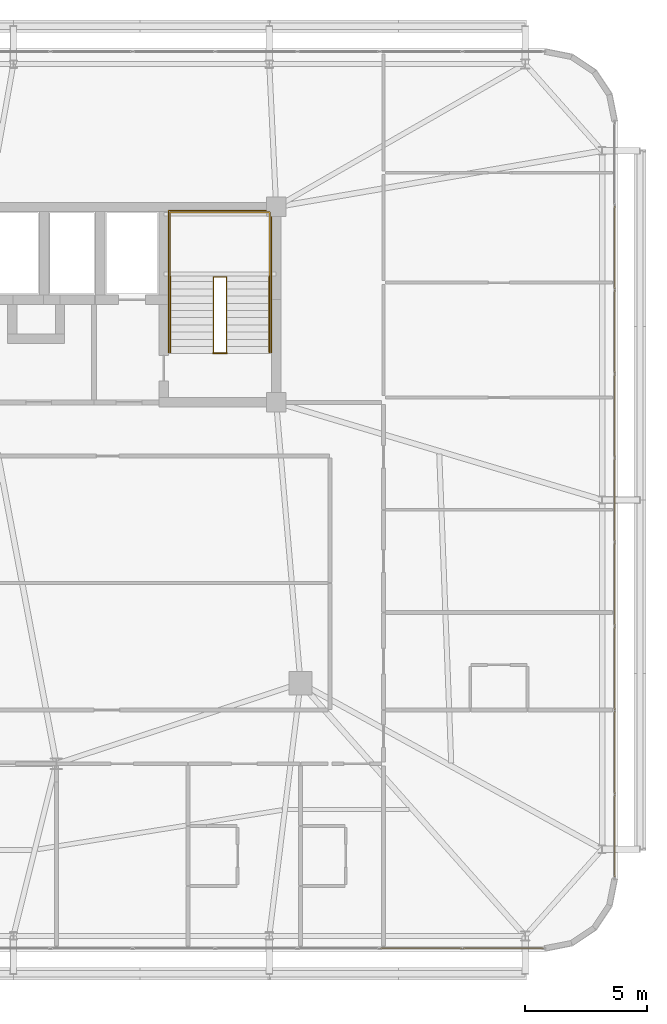
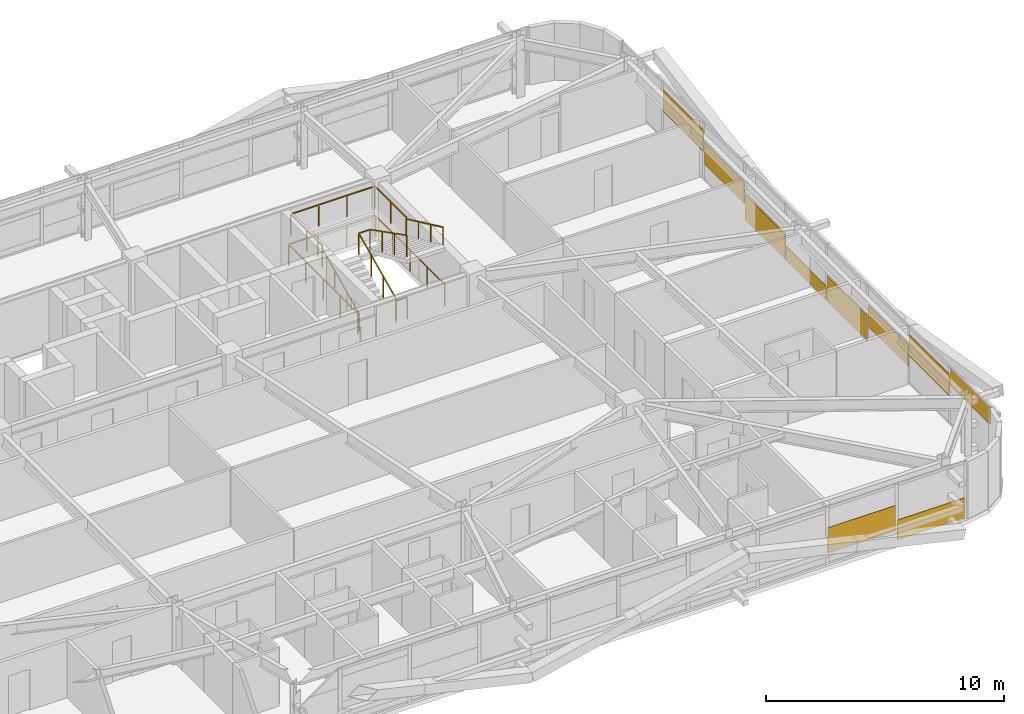
# One storey, part 58 of 59: 10 coverings, 6 railings.
"""IFC4 building model written with IfcOpenShell, lengths in metres."""

from ifc_helpers import new_model, si_unit, direction, frame, origin, origin_2d, place, context, subcontext, project, spatial, rectangle, extrude, source, transform, mapped, material, layer, layer_set, type_object, element, save


model = new_model("IFC4")

# Units and contexts
model_context = context("Model", 3, precision=1e-05, world=origin(), true_north=direction((0.0, 1.0)))
body_context = subcontext(model_context, "Body", "Model", "MODEL_VIEW")
ifc_project = project(units=[si_unit("LENGTHUNIT", "METRE"), si_unit("AREAUNIT", "SQUARE_METRE"), si_unit("VOLUMEUNIT", "CUBIC_METRE"), si_unit("PLANEANGLEUNIT", "RADIAN"), si_unit("MASSUNIT", "GRAM", prefix="KILO")], contexts=[model_context])

# Site, building, storey
site_placement = place(None, origin())
site = spatial("IfcSite", under=ifc_project, at=site_placement, CompositionType="ELEMENT")
building_placement = place(site_placement, origin())
building = spatial("IfcBuilding", under=site, at=building_placement, Name="Taldren Reach Tower", CompositionType="ELEMENT")
storey_placement = place(building_placement, frame((0.0, 0.0, 19.949951171875)))
storey = spatial("IfcBuildingStorey", under=building, at=storey_placement, Name="L05", CompositionType="ELEMENT", Elevation=19.949951171875)

# Railings
ifc_material_1 = material(Name="Steel Gr 350 (C350L0)", Category="steel")
ifc_layer_1 = layer(ifc_material_1, 0.050048828125)
ifc_layer_set_1 = layer_set([ifc_layer_1], Name="Steel Gr 350 (C350L0)")
railing_type_1 = type_object("IfcRailingType", Name="RL-STAIR-GR", PredefinedType="GUARDRAIL", material=ifc_layer_set_1)
railing_1_placement = place(storey_placement, frame((46.659912109375, 29.135009765625, 1.574951171875)))
element("IfcRailing", 1, at=railing_1_placement, inside=storey, type_object=railing_type_1, Name="Stair half-landing perimeter guard ST2-L05", PredefinedType="GUARDRAIL", context=body_context, shape_type="SweptSolid", body=[
    extrude(rectangle(XDim=0.047852, YDim=0.047852, at=origin_2d()), frame((0.0, 0.0, 1.09619140625), z_axis=(0.0, 1.0, 0.0), x_axis=(-1.0, 0.0, 0.0)), (0.0, 0.0, 1.0), 2.64501953125),
    extrude(rectangle(XDim=0.047852, YDim=0.047852, at=origin_2d()), frame((0.0, 2.64501953125, 1.09619140625), z_axis=(1.0, 0.0, 0.0), x_axis=(0.0, 1.0, 0.0)), (0.0, 0.0, 1.0), 4.080078125),
    extrude(rectangle(XDim=0.047852, YDim=0.047852, at=origin_2d()), frame((4.080078125, 2.64501953125, 1.09619140625), z_axis=(0.0, -1.0, 0.0), x_axis=(1.0, 0.0, 0.0)), (0.0, 0.0, 1.0), 2.64501953125),
    extrude(rectangle(XDim=0.041992, YDim=0.041992, at=origin_2d()), origin(), (0.0, 0.0, 1.0), 1.072021484375),
    extrude(rectangle(XDim=0.041992, YDim=0.041992, at=origin_2d()), frame((0.0, 1.322509765625, 0.0)), (0.0, 0.0, 1.0), 1.072021484375),
    extrude(rectangle(XDim=0.041992, YDim=0.041992, at=origin_2d()), frame((0.0, 2.64501953125, 0.0)), (0.0, 0.0, 1.0), 1.072021484375),
    extrude(rectangle(XDim=0.041992, YDim=0.041992, at=origin_2d()), frame((1.360107421875, 2.64501953125, 0.0)), (0.0, 0.0, 1.0), 1.072021484375),
    extrude(rectangle(XDim=0.041992, YDim=0.041992, at=origin_2d()), frame((2.719970703125, 2.64501953125, 0.0)), (0.0, 0.0, 1.0), 1.072021484375),
    extrude(rectangle(XDim=0.041992, YDim=0.041992, at=origin_2d()), frame((4.080078125, 2.64501953125, 0.0)), (0.0, 0.0, 1.0), 1.072021484375),
    extrude(rectangle(XDim=0.041992, YDim=0.041992, at=origin_2d()), frame((4.080078125, 1.322509765625, 0.0)), (0.0, 0.0, 1.0), 1.072021484375),
    extrude(rectangle(XDim=0.041992, YDim=0.041992, at=origin_2d()), frame((4.080078125, 0.0, 0.0)), (0.0, 0.0, 1.0), 1.072021484375),
])
railing_2_placement = place(storey_placement, frame((48.429931640625, 26.050048828125, 0.13134765625)))
element("IfcRailing", 2, at=railing_2_placement, inside=storey, type_object=railing_type_1, Name="Stairwell inner guard ST2-L05", PredefinedType="GUARDRAIL", context=body_context, shape_type="SweptSolid", body=[
    extrude(rectangle(XDim=0.047852, YDim=0.047852, at=origin_2d()), frame((0.0, 0.0, 1.09619140625), z_axis=(0.0, 0.905737652094, 0.423838773095), x_axis=(-1.0, 0.0, 0.0)), (0.0, 0.0, 1.0), 3.406005859375),
    extrude(rectangle(XDim=0.047852, YDim=0.047852, at=origin_2d()), frame((0.0, 3.0849609375, 2.53955078125), z_axis=(1.0, 0.0, 0.0), x_axis=(0.0, 1.0, 0.0)), (0.0, 0.0, 1.0), 0.5400390625),
    extrude(rectangle(XDim=0.047852, YDim=0.047852, at=origin_2d()), frame((0.5400390625, 3.0849609375, 2.53955078125), z_axis=(0.0, -0.890617412389, 0.454753366946), x_axis=(1.0, 0.0, 0.0)), (0.0, 0.0, 1.0), 3.4638671875),
    extrude(rectangle(XDim=0.041992, YDim=0.041992, at=origin_2d()), origin(), (0.0, 0.0, 1.0), 1.072021484375),
    extrude(rectangle(XDim=0.041992, YDim=0.041992, at=origin_2d()), frame((0.0, 1.0283203125, 0.481201171875)), (0.0, 0.0, 1.0), 1.072021484375),
    extrude(rectangle(XDim=0.041992, YDim=0.041992, at=origin_2d()), frame((0.0, 2.056640625, 0.96240234375)), (0.0, 0.0, 1.0), 1.072021484375),
    extrude(rectangle(XDim=0.041992, YDim=0.041992, at=origin_2d()), frame((0.0, 3.0849609375, 1.443603515625)), (0.0, 0.0, 1.0), 1.072021484375),
    extrude(rectangle(XDim=0.041992, YDim=0.041992, at=origin_2d()), frame((0.5400390625, 3.0849609375, 1.443603515625)), (0.0, 0.0, 1.0), 1.072021484375),
    extrude(rectangle(XDim=0.041992, YDim=0.041992, at=origin_2d()), frame((0.5400390625, 2.056640625, 1.96875)), (0.0, 0.0, 1.0), 1.072021484375),
    extrude(rectangle(XDim=0.041992, YDim=0.041992, at=origin_2d()), frame((0.5400390625, 1.0283203125, 2.49365234375)), (0.0, 0.0, 1.0), 1.072021484375),
    extrude(rectangle(XDim=0.041992, YDim=0.041992, at=origin_2d()), frame((0.5400390625, 0.0, 3.018798828125)), (0.0, 0.0, 1.0), 1.072021484375),
])
railing_3_placement = place(storey_placement, frame((48.429931640625, 26.010009765625, 0.0)))
element("IfcRailing", 3, at=railing_3_placement, inside=storey, type_object=railing_type_1, Name="Stairwell landing slot guard ST2-L05", PredefinedType="GUARDRAIL", context=body_context, shape_type="SweptSolid", body=[
    extrude(rectangle(XDim=0.047852, YDim=0.047852, at=origin_2d()), frame((0.0, 0.0, 1.09619140625), z_axis=(1.0, 0.0, 0.0), x_axis=(0.0, 1.0, 0.0)), (0.0, 0.0, 1.0), 0.5400390625),
    extrude(rectangle(XDim=0.041992, YDim=0.041992, at=origin_2d()), origin(), (0.0, 0.0, 1.0), 1.072021484375),
    extrude(rectangle(XDim=0.041992, YDim=0.041992, at=origin_2d()), frame((0.5400390625, 0.0, 0.0)), (0.0, 0.0, 1.0), 1.072021484375),
])
railing_4_placement = place(storey_placement, frame((46.590087890625, 26.050048828125, 0.0)))
element("IfcRailing", 4, at=railing_4_placement, inside=storey, type_object=railing_type_1, Name="Stairwell floor opening guard ST2-L05", PredefinedType="GUARDRAIL", context=body_context, shape_type="SweptSolid", body=[
    extrude(rectangle(XDim=0.047852, YDim=0.047852, at=origin_2d()), frame((0.0, 0.0, 1.09619140625), z_axis=(0.0, 1.0, 0.0), x_axis=(-1.0, 0.0, 0.0)), (0.0, 0.0, 1.0), 5.800048828125),
    extrude(rectangle(XDim=0.047852, YDim=0.047852, at=origin_2d()), frame((0.0, 5.800048828125, 1.09619140625), z_axis=(1.0, 0.0, 0.0), x_axis=(0.0, 1.0, 0.0)), (0.0, 0.0, 1.0), 4.219970703125),
    extrude(rectangle(XDim=0.047852, YDim=0.047852, at=origin_2d()), frame((4.219970703125, 5.800048828125, 1.09619140625), z_axis=(0.0, -1.0, 0.0), x_axis=(1.0, 0.0, 0.0)), (0.0, 0.0, 1.0), 5.800048828125),
    extrude(rectangle(XDim=0.041992, YDim=0.041992, at=origin_2d()), origin(), (0.0, 0.0, 1.0), 1.072021484375),
    extrude(rectangle(XDim=0.041992, YDim=0.041992, at=origin_2d()), frame((0.0, 1.449951171875, 0.0)), (0.0, 0.0, 1.0), 1.072021484375),
    extrude(rectangle(XDim=0.041992, YDim=0.041992, at=origin_2d()), frame((0.0, 2.89990234375, 0.0)), (0.0, 0.0, 1.0), 1.072021484375),
    extrude(rectangle(XDim=0.041992, YDim=0.041992, at=origin_2d()), frame((0.0, 4.35009765625, 0.0)), (0.0, 0.0, 1.0), 1.072021484375),
    extrude(rectangle(XDim=0.041992, YDim=0.041992, at=origin_2d()), frame((0.0, 5.800048828125, 0.0)), (0.0, 0.0, 1.0), 1.072021484375),
    extrude(rectangle(XDim=0.041992, YDim=0.041992, at=origin_2d()), frame((1.40673828125, 5.800048828125, 0.0)), (0.0, 0.0, 1.0), 1.072021484375),
    extrude(rectangle(XDim=0.041992, YDim=0.041992, at=origin_2d()), frame((2.813232421875, 5.800048828125, 0.0)), (0.0, 0.0, 1.0), 1.072021484375),
    extrude(rectangle(XDim=0.041992, YDim=0.041992, at=origin_2d()), frame((4.219970703125, 5.800048828125, 0.0)), (0.0, 0.0, 1.0), 1.072021484375),
    extrude(rectangle(XDim=0.041992, YDim=0.041992, at=origin_2d()), frame((4.219970703125, 4.35009765625, 0.0)), (0.0, 0.0, 1.0), 1.072021484375),
    extrude(rectangle(XDim=0.041992, YDim=0.041992, at=origin_2d()), frame((4.219970703125, 2.89990234375, 0.0)), (0.0, 0.0, 1.0), 1.072021484375),
    extrude(rectangle(XDim=0.041992, YDim=0.041992, at=origin_2d()), frame((4.219970703125, 1.449951171875, 0.0)), (0.0, 0.0, 1.0), 1.072021484375),
    extrude(rectangle(XDim=0.041992, YDim=0.041992, at=origin_2d()), frame((4.219970703125, 0.0, 0.0)), (0.0, 0.0, 1.0), 1.072021484375),
])
ifc_material_2 = material(Name="Stainless Steel Gr 316", Category="steel")
ifc_layer_2 = layer(ifc_material_2, 0.048095703125)
ifc_layer_set_2 = layer_set([ifc_layer_2], Name="Stainless Steel Gr 316")
railing_type_2 = type_object("IfcRailingType", Name="RL-STAIR-HR", PredefinedType="HANDRAIL", material=ifc_layer_set_2)
railing_5_placement = place(storey_placement, frame((46.669921875, 26.050048828125, 0.13134765625)))
element("IfcRailing", 5, at=railing_5_placement, inside=storey, type_object=railing_type_2, Name="Stair flight handrail ST2-L05-1", PredefinedType="HANDRAIL", context=body_context, shape_type="SweptSolid", body=[
    extrude(rectangle(XDim=0.047852, YDim=0.047852, at=origin_2d()), frame((0.0, 0.0, 0.89599609375), z_axis=(0.0, 0.905737652094, 0.423838773095), x_axis=(-1.0, 0.0, 0.0)), (0.0, 0.0, 1.0), 3.406005859375),
    extrude(rectangle(XDim=0.041992, YDim=0.041992, at=origin_2d()), origin(), (0.0, 0.0, 1.0), 0.871826171875),
    extrude(rectangle(XDim=0.041992, YDim=0.041992, at=origin_2d()), frame((0.0, 1.0283203125, 0.481201171875)), (0.0, 0.0, 1.0), 0.871826171875),
    extrude(rectangle(XDim=0.041992, YDim=0.041992, at=origin_2d()), frame((0.0, 2.056640625, 0.96240234375)), (0.0, 0.0, 1.0), 0.871826171875),
    extrude(rectangle(XDim=0.041992, YDim=0.041992, at=origin_2d()), frame((0.0, 3.0849609375, 1.443603515625)), (0.0, 0.0, 1.0), 0.871826171875),
])
railing_6_placement = place(storey_placement, frame((50.72998046875, 29.135009765625, 1.706298828125)))
element("IfcRailing", 6, at=railing_6_placement, inside=storey, type_object=railing_type_2, Name="Stair flight handrail ST2-L05-2", PredefinedType="HANDRAIL", context=body_context, shape_type="SweptSolid", body=[
    extrude(rectangle(XDim=0.047852, YDim=0.047852, at=origin_2d()), frame((0.0, 0.0, 0.89599609375), z_axis=(0.0, -0.905710134349, 0.423897573167), x_axis=(1.0, 0.0, 0.0)), (0.0, 0.0, 1.0), 3.406005859375),
    extrude(rectangle(XDim=0.041992, YDim=0.041992, at=origin_2d()), origin(), (0.0, 0.0, 1.0), 0.871826171875),
    extrude(rectangle(XDim=0.041992, YDim=0.041992, at=origin_2d()), frame((0.0, -1.0283203125, 0.481201171875)), (0.0, 0.0, 1.0), 0.871826171875),
    extrude(rectangle(XDim=0.041992, YDim=0.041992, at=origin_2d()), frame((0.0, -2.056640625, 0.962646484375)), (0.0, 0.0, 1.0), 0.871826171875),
    extrude(rectangle(XDim=0.041992, YDim=0.041992, at=origin_2d()), frame((0.0, -3.0849609375, 1.44384765625)), (0.0, 0.0, 1.0), 0.871826171875),
])

# Coverings
ifc_material_3 = material(Name="Pale Champagne Fluoropolymer Aluminium Spandrel Cladding", Category="aluminium")
ifc_layer_3 = layer(ifc_material_3, 0.0439453125)
ifc_layer_set_3 = layer_set([ifc_layer_3], Name="Pale Champagne Fluoropolymer Aluminium Spandrel Cladding")
covering_type = type_object("IfcCoveringType", Name="CV-CLAD-044", PredefinedType="CLADDING", material=ifc_layer_set_3)
shared_shape_1 = source(origin(), body_context, "Body", "SweptSolid", [
    extrude(rectangle(XDim=3.31005859375, YDim=0.0439453125, at=origin_2d()), origin(), (0.0, 0.0, 1.0), 1.301025390625),
])
covering_1_placement = place(storey_placement, frame((56.9375, 1.639892578125, 0.55810546875), z_axis=(0.0, 0.0, 1.0), x_axis=(1.0, 0.0, 0.0)))
element("IfcCovering", 7, at=covering_1_placement, inside=storey, type_object=covering_type, Name="Diagrid closure cladding strip CW-2 panel 15.1 1", PredefinedType="CLADDING", context=body_context, shape_type="MappedRepresentation", body=[
    mapped(shared_shape_1, transform((0.0, 0.0, 0.0), scale=1.0)),
])
shared_shape_2 = source(origin(), body_context, "Body", "SweptSolid", [
    extrude(rectangle(XDim=3.277587890625, YDim=0.0439453125, at=origin_2d()), origin(), (0.0, 0.0, 1.0), 1.021240234375),
])
covering_2_placement = place(storey_placement, frame((60.296142578125, 1.639892578125, 0.05517578125), z_axis=(0.0, 0.0, 1.0), x_axis=(1.0, 0.0, 0.0)))
element("IfcCovering", 8, at=covering_2_placement, inside=storey, type_object=covering_type, Name="Diagrid closure cladding strip CW-2 panel 16.1 1", PredefinedType="CLADDING", context=body_context, shape_type="MappedRepresentation", body=[
    mapped(shared_shape_2, transform((0.0, 0.0, 0.0), scale=1.0)),
])
shared_shape_3 = source(origin(), body_context, "Body", "SweptSolid", [
    extrude(rectangle(XDim=3.346923828125, YDim=0.0439453125, at=origin_2d()), origin(), (0.0, 0.0, 1.0), 0.864501953125),
])
covering_3_placement = place(storey_placement, frame((64.860107421875, 6.238525390625, 2.0107421875), z_axis=(0.0, 0.0, 1.0), x_axis=(0.0, 1.0, 0.0)))
element("IfcCovering", 9, at=covering_3_placement, inside=storey, type_object=covering_type, Name="Diagrid closure cladding strip CW-2 panel 1.1 1", PredefinedType="CLADDING", context=body_context, shape_type="MappedRepresentation", body=[
    mapped(shared_shape_3, transform((0.0, 0.0, 0.0), scale=1.0)),
])
shared_shape_4 = source(origin(), body_context, "Body", "SweptSolid", [
    extrude(rectangle(XDim=3.37939453125, YDim=0.0439453125, at=origin_2d()), origin(), (0.0, 0.0, 1.0), 1.1015625),
])
for number, where, z_axis, x_axis, name in (
    (10, (64.860107421875, 9.666748046875, 1.42529296875), (0.0, 0.0, 1.0), (0.0, 1.0, 0.0), "Diagrid closure cladding strip CW-2 panel 2.1 1"),
    (11, (64.860107421875, 13.111083984375, 0.83984375), (0.0, 0.0, 1.0), (0.0, 1.0, 0.0), "Diagrid closure cladding strip CW-2 panel 3.1 1"),
    (12, (64.860107421875, 26.888916015625, 0.83984375), (0.0, 0.0, 1.0), (0.0, 1.0, 0.0), "Diagrid closure cladding strip CW-2 panel 7.1 1"),
    (13, (64.860107421875, 30.333251953125, 1.42529296875), (0.0, 0.0, 1.0), (0.0, 1.0, 0.0), "Diagrid closure cladding strip CW-2 panel 8.1 1"),
):
    element("IfcCovering", number, at=place(storey_placement, frame(where, z_axis=z_axis, x_axis=x_axis)), inside=storey, type_object=covering_type, Name=name, PredefinedType="CLADDING", context=body_context, shape_type="MappedRepresentation", body=[
        mapped(shared_shape_4, transform((0.0, 0.0, 0.0), scale=1.0)),
    ])
shared_shape_5 = source(origin(), body_context, "Body", "SweptSolid", [
    extrude(rectangle(XDim=3.37939453125, YDim=0.0439453125, at=origin_2d()), origin(), (0.0, 0.0, 1.0), 1.301025390625),
])
for number, where, z_axis, x_axis, name in (
    (14, (64.860107421875, 16.5556640625, 0.05517578125), (0.0, 0.0, 1.0), (0.0, 1.0, 0.0), "Diagrid closure cladding strip CW-2 panel 4.1 1"),
    (15, (64.860107421875, 23.4443359375, 0.05517578125), (0.0, 0.0, 1.0), (0.0, 1.0, 0.0), "Diagrid closure cladding strip CW-2 panel 6.1 1"),
):
    element("IfcCovering", number, at=place(storey_placement, frame(where, z_axis=z_axis, x_axis=x_axis)), inside=storey, type_object=covering_type, Name=name, PredefinedType="CLADDING", context=body_context, shape_type="MappedRepresentation", body=[
        mapped(shared_shape_5, transform((0.0, 0.0, 0.0), scale=1.0)),
    ])
shared_shape_6 = source(origin(), body_context, "Body", "SweptSolid", [
    extrude(rectangle(XDim=3.37939453125, YDim=0.0439453125, at=origin_2d()), origin(), (0.0, 0.0, 1.0), 0.7158203125),
])
covering_4_placement = place(storey_placement, frame((64.860107421875, 20.0, 0.054931640625), z_axis=(0.0, 0.0, 1.0), x_axis=(0.0, 1.0, 0.0)))
element("IfcCovering", 16, at=covering_4_placement, inside=storey, type_object=covering_type, Name="Diagrid closure cladding strip CW-2 panel 5.1 1", PredefinedType="CLADDING", context=body_context, shape_type="MappedRepresentation", body=[
    mapped(shared_shape_6, transform((0.0, 0.0, 0.0), scale=1.0)),
])

save(model, "model.ifc")
